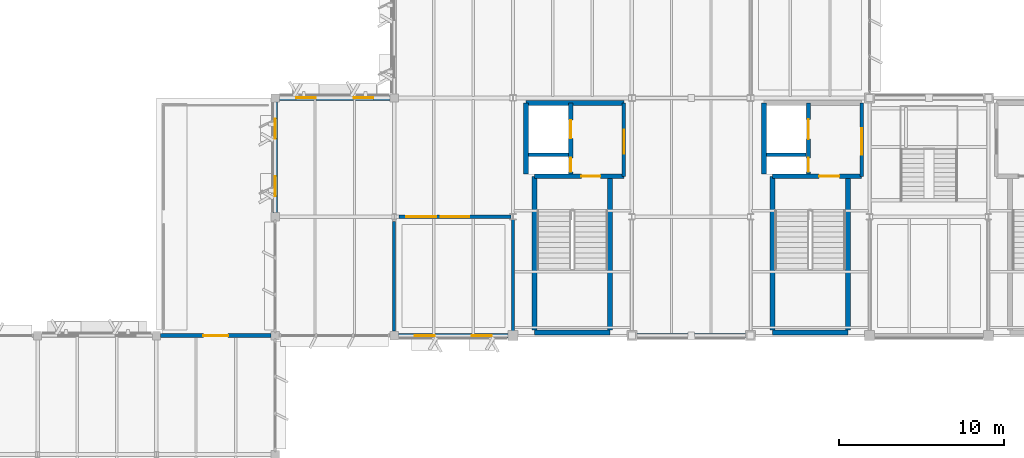
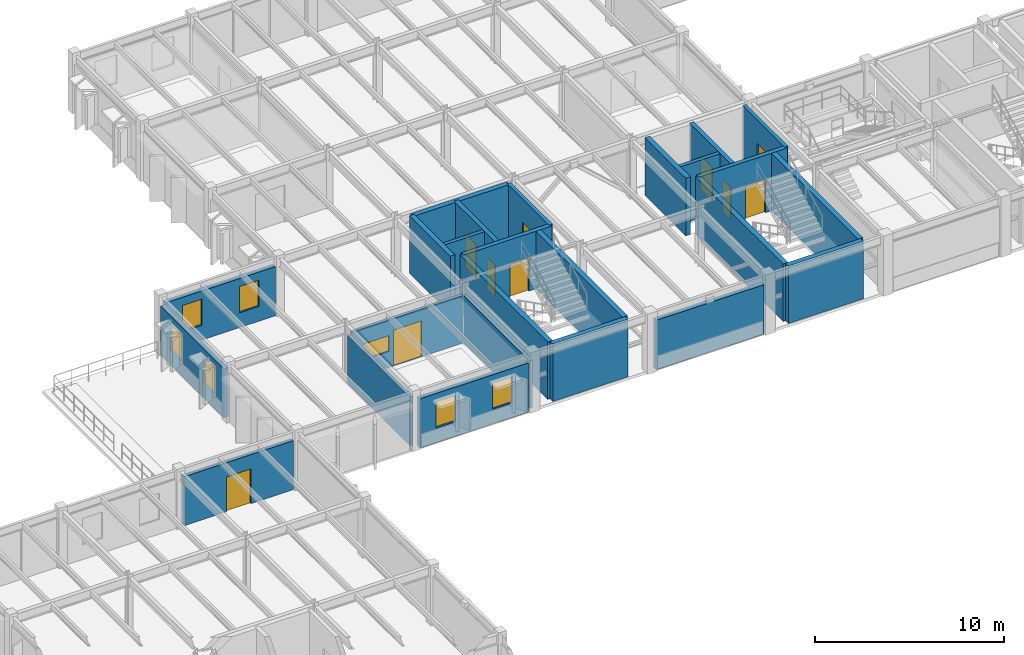
# One storey, part 13 of 35: 25 walls, 10 doors, 7 windows, 17 openings.
"""IFC4 building model written with IfcOpenShell, lengths in metres."""

import ifcopenshell
import ifcopenshell.guid

model = None  # the IFC model being written
_history = None  # IfcOwnerHistory: only IFC2X3 demands one
_inside = {}  # id of a spatial element -> (the spatial element, [elements in it])
_under = {}  # id of a project, library or spatial element -> (it, [spatial elements below it])
_declared = {}  # id of a project -> (the project, [libraries it declares])
_typed = {}  # id of a type object -> (the type object, [elements of that type])
_made_of = {}  # id of a material, layer set ... -> (it, [elements and type objects made of it])


def new_model(schema):
    """Start an empty IFC model of exactly this schema.

    Asked for "IFC4X3", IfcOpenShell would pick the latest addendum, in which some entities
    have other attributes; the version numbers below select the first issue.
    IFC2X3 requires an IfcOwnerHistory on every rooted entity: one is made here for all.
    """
    global model, _history
    if schema == "IFC4X3":
        model = ifcopenshell.file(schema_version=(4, 3, 0, 0))
    else:
        model = ifcopenshell.file(schema=schema)
    _inside.clear()
    _under.clear()
    _declared.clear()
    _typed.clear()
    _made_of.clear()
    _history = None
    if model.schema == "IFC2X3":
        org = make("IfcOrganization", Name="unknown")
        user = make(
            "IfcPersonAndOrganization",
            ThePerson=make("IfcPerson", FamilyName="unknown"),
            TheOrganization=org,
        )
        app = make(
            "IfcApplication",
            ApplicationDeveloper=org,
            Version="unknown",
            ApplicationFullName="unknown",
            ApplicationIdentifier="unknown",
        )
        _history = make(
            "IfcOwnerHistory",
            OwningUser=user,
            OwningApplication=app,
            ChangeAction="ADDED",
            CreationDate=0,
        )
    return model


def make(cls, **values):
    """One entity of the class cls with the attributes given. An attribute that is None is left unset."""
    return model.create_entity(
        cls, **{name: value for name, value in values.items() if value is not None}
    )


def rooted(cls, **values):
    """An entity with a GlobalId (a new one), such as an element, a storey or a relation."""
    return make(cls, GlobalId=ifcopenshell.guid.new(), OwnerHistory=_history, **values)


def si_unit(unit_type, name, prefix=None):
    """IfcSIUnit, for example si_unit("LENGTHUNIT", "METRE", prefix="MILLI")."""
    return make("IfcSIUnit", UnitType=unit_type, Prefix=prefix, Name=name)


def assignment(units):
    """IfcUnitAssignment: the units of a project."""
    return None if units is None else make("IfcUnitAssignment", Units=units)


def point(xyz):
    """IfcCartesianPoint."""
    return None if xyz is None else make("IfcCartesianPoint", Coordinates=xyz)


def direction(xyz):
    """IfcDirection."""
    return None if xyz is None else make("IfcDirection", DirectionRatios=xyz)


def frame(location, z_axis=None, x_axis=None):
    """IfcAxis2Placement3D, a coordinate frame: its origin and axes. An axis left out is left unset."""
    return make(
        "IfcAxis2Placement3D",
        Location=point(location),
        Axis=direction(z_axis),
        RefDirection=direction(x_axis),
    )


def frame_2d(location, x_axis=None):
    """IfcAxis2Placement2D, a coordinate frame in the plane: its origin and x axis."""
    return make(
        "IfcAxis2Placement2D", Location=point(location), RefDirection=direction(x_axis)
    )


def origin():
    """The frame at (0, 0, 0) with its axes left unset."""
    return frame((0.0, 0.0, 0.0))


def place(relative_to, where):
    """IfcLocalPlacement: puts the frame where relative to a parent placement (None: the world)."""
    return make(
        "IfcLocalPlacement", PlacementRelTo=relative_to, RelativePlacement=where
    )


def context(
    kind, dimensions, precision=None, world=None, true_north=None, identifier=None
):
    """IfcGeometricRepresentationContext, for example the 3D "Model" context."""
    return make(
        "IfcGeometricRepresentationContext",
        ContextIdentifier=identifier,
        ContextType=kind,
        CoordinateSpaceDimension=dimensions,
        Precision=precision,
        WorldCoordinateSystem=world,
        TrueNorth=true_north,
    )


def subcontext(parent, identifier, kind, view, scale=None):
    """IfcGeometricRepresentationSubContext, for example "Body" below "Model"."""
    return make(
        "IfcGeometricRepresentationSubContext",
        ContextIdentifier=identifier,
        ContextType=kind,
        ParentContext=parent,
        TargetScale=scale,
        TargetView=view,
    )


def project(units=None, contexts=None):
    """IfcProject with its units and contexts."""
    return rooted(
        "IfcProject",
        Name="project",
        RepresentationContexts=contexts,
        UnitsInContext=assignment(units),
    )


def spatial(cls, under=None, at=None, **own):
    """A site, building, storey or space (cls), placed at a placement, below another one or the project."""
    s = rooted(cls, ObjectPlacement=at, **own)
    if under is not None:
        _under.setdefault(under.id(), (under, []))[1].append(s)
    return s


def profile(cls, at=None, kind="AREA", **sizes):
    """A parametric profile (cls). Its sizes go by their IFC names, for example OverallWidth=200.0."""
    return make(cls, ProfileType=kind, Position=at, **sizes)


def rectangle(**sizes):
    """IfcRectangleProfileDef."""
    return profile("IfcRectangleProfileDef", **sizes)


def extrude(swept, where, along, depth):
    """IfcExtrudedAreaSolid: the profile swept, set in the frame where, extruded along a direction by depth."""
    return make(
        "IfcExtrudedAreaSolid",
        SweptArea=swept,
        Position=where,
        ExtrudedDirection=direction(along),
        Depth=depth,
    )


def shape(context_of_items, identifier, shape_type, items):
    """IfcShapeRepresentation: the items that make up one representation, for example the "Body"."""
    return make(
        "IfcShapeRepresentation",
        ContextOfItems=context_of_items,
        RepresentationIdentifier=identifier,
        RepresentationType=shape_type,
        Items=items,
    )


def material(Name=None, Category=None):
    """IfcMaterial."""
    return make("IfcMaterial", Name=Name, Category=Category)


def layer(
    of_material, thickness, ventilated=None, Name=None, Category=None, Priority=None
):
    """IfcMaterialLayer: one layer of a wall or slab, of a material (None: an air gap)."""
    return make(
        "IfcMaterialLayer",
        Material=of_material,
        LayerThickness=thickness,
        IsVentilated=ventilated,
        Name=Name,
        Category=Category,
        Priority=Priority,
    )


def layer_set(layers, Name=None):
    """IfcMaterialLayerSet."""
    return make("IfcMaterialLayerSet", MaterialLayers=layers, LayerSetName=Name)


def made_of(thing, what):
    """Note that an element or type object is made of a material, layer set ...; save() writes the relation."""
    if what is not None:
        _made_of.setdefault(what.id(), (what, []))[1].append(thing)
    return thing


def type_object(cls, material=None, **own):
    """A type object (cls), such as IfcWallType, which elements share."""
    return made_of(rooted(cls, **own), material)


def element(
    cls,
    number,
    at=None,
    inside=None,
    cuts=None,
    type_object=None,
    material=None,
    context=None,
    identifier="Body",
    shape_type=None,
    held_by="IfcProductDefinitionShape",
    body=None,
    shapes=None,
    **own,
):
    """One element of the class cls, such as IfcWall. Its Tag is "e" and its number.

    at: its placement. inside: the storey or other place that contains it. cuts: it is an
    opening in that element (IfcRelVoidsElement). A single representation is given by context,
    identifier, shape_type and body (its items); several are given by shapes. held_by: the class
    of the entity that holds the representations. save() writes the other relations.
    """
    e = rooted(cls, Tag="e%d" % number, ObjectPlacement=at, **own)
    if body is not None:
        shapes = [shape(context, identifier, shape_type, body)]
    if shapes is not None:
        e.Representation = make(held_by, Representations=shapes)
    if inside is not None:
        _inside.setdefault(inside.id(), (inside, []))[1].append(e)
    if cuts is not None:
        rooted(
            "IfcRelVoidsElement", RelatingBuildingElement=cuts, RelatedOpeningElement=e
        )
    if type_object is not None:
        _typed.setdefault(type_object.id(), (type_object, []))[1].append(e)
    return made_of(e, material)


def fill(opening, filler):
    """IfcRelFillsElement: the door or window that sits in an opening."""
    return rooted(
        "IfcRelFillsElement",
        RelatingOpeningElement=opening,
        RelatedBuildingElement=filler,
    )


def aggregate(whole, parts):
    """IfcRelAggregates: a whole, such as a stair, and the parts it consists of."""
    return rooted("IfcRelAggregates", RelatingObject=whole, RelatedObjects=parts)


def save(model, path):
    """Write the relations noted so far, then the file.

    IfcRelAggregates (storeys below a building ...), IfcRelContainedInSpatialStructure (elements
    in a storey), IfcRelDefinesByType, IfcRelAssociatesMaterial and IfcRelDeclares: one each for
    every whole, place, type object, material and project.
    """
    for whole, parts in _under.values():
        aggregate(whole, parts)
    for where, things in _inside.values():
        rooted(
            "IfcRelContainedInSpatialStructure",
            RelatedElements=things,
            RelatingStructure=where,
        )
    for kind, things in _typed.values():
        rooted("IfcRelDefinesByType", RelatedObjects=things, RelatingType=kind)
    for what, things in _made_of.values():
        rooted("IfcRelAssociatesMaterial", RelatedObjects=things, RelatingMaterial=what)
    for by, libraries in _declared.values():
        rooted("IfcRelDeclares", RelatingContext=by, RelatedDefinitions=libraries)
    model.write(path)


model = new_model("IFC4")

# Units and contexts
model_context = context("Model", 3, precision=1e-05, world=origin(), true_north=direction((0.0, 1.0)))
body_context = subcontext(model_context, "Body", "Model", "MODEL_VIEW")
ifc_project = project(units=[si_unit("LENGTHUNIT", "METRE"), si_unit("AREAUNIT", "SQUARE_METRE"), si_unit("VOLUMEUNIT", "CUBIC_METRE"), si_unit("PLANEANGLEUNIT", "RADIAN"), si_unit("MASSUNIT", "GRAM", prefix="KILO")], contexts=[model_context])

# Site, building, storey
site_placement = place(None, origin())
site = spatial("IfcSite", under=ifc_project, at=site_placement, CompositionType="ELEMENT")
building_placement = place(site_placement, origin())
building = spatial("IfcBuilding", under=site, at=building_placement, Name="Sillqori Civic Hall", CompositionType="ELEMENT")
storey_placement = place(building_placement, frame((0.0, 0.0, 18.0)))
storey = spatial("IfcBuildingStorey", under=building, at=storey_placement, Name="L05", CompositionType="ELEMENT", Elevation=18.0)

# Wall
ifc_material_1 = material(Name="Concrete C35/45 (H35)", Category="concrete")
ifc_layer_1 = layer(ifc_material_1, 0.219970703125)
ifc_layer_set_1 = layer_set([ifc_layer_1], Name="Concrete C35/45 (H35)")
wall_type_1 = type_object("IfcWallType", Name="CW-SHR-220", PredefinedType="SHEAR", material=ifc_layer_set_1)
wall_1_placement = place(storey_placement, frame((51.35009765625, 90.14990234375, 0.0), z_axis=(0.0, 0.0, 1.0), x_axis=(1.0, 0.0, 0.0)))
element("IfcWall", 1, at=wall_1_placement, inside=storey, type_object=wall_type_1, Name="L05 C5 Lift-riser divider wall", PredefinedType="SHEAR", context=body_context, shape_type="SweptSolid", body=[
    extrude(rectangle(XDim=2.39990234375, YDim=0.219970703125, at=frame_2d((1.199951171875, 0.0))), origin(), (0.0, 0.0, 1.0), 3.719970703125),
])

# Wall, opening, door
wall_2_placement = place(storey_placement, frame((57.1201171875, 93.300048828125, 0.0), z_axis=(0.0, 0.0, 1.0), x_axis=(0.0, -1.0, 0.0)))
wall_2 = element("IfcWall", 2, at=wall_2_placement, inside=storey, type_object=wall_type_1, Name="L05 C5 firefighting lobby enclosure wall", PredefinedType="SHEAR", context=body_context, shape_type="SweptSolid", body=[
    extrude(rectangle(XDim=4.449951171875, YDim=0.219970703125, at=frame_2d((2.22509765625, 0.0))), origin(), (0.0, 0.0, 1.0), 3.719970703125),
])
opening_1_placement = place(wall_2_placement, frame((1.625, 0.0, 0.0)))
opening_1 = element("IfcOpeningElement", 3, at=opening_1_placement, cuts=wall_2, Name="Opening FD-03", PredefinedType="OPENING", context=body_context, shape_type="SweptSolid", body=[
    extrude(rectangle(XDim=1.449951171875, YDim=2.199951171875, at=frame_2d((0.72509765625, 1.10009765625))), frame((0.0, 0.119873046875, 0.0), z_axis=(0.0, -1.0, 0.0), x_axis=(1.0, 0.0, 0.0)), (0.0, 0.0, 1.0), 0.239990234375),
])
ifc_material_2 = material(Name="Double-Leaf Smoke-Seal Lobby Door", Category="steel")
door_type_1 = type_object("IfcDoorType", Name="FDR-LOB-145X220", OperationType="NOTDEFINED", PredefinedType="DOOR", material=ifc_material_2)
door_1_placement = place(opening_1_placement, origin())
door_1 = element("IfcDoor", 4, at=door_1_placement, inside=storey, type_object=door_type_1, Name="L05 C5 firefighting lobby exit door", OperationType="DOUBLE_DOOR_SINGLE_SWING", OverallHeight=2.199951171875, OverallWidth=1.449951171875, PredefinedType="DOOR", context=body_context, shape_type="SweptSolid", body=[
    extrude(rectangle(XDim=1.449951171875, YDim=2.199951171875, at=frame_2d((0.72509765625, 1.10009765625))), frame((0.0, 0.02490234375, 0.0), z_axis=(0.0, -1.0, 0.0), x_axis=(1.0, 0.0, 0.0)), (0.0, 0.0, 1.0), 0.050048828125),
])
fill(opening_1, door_1)

# Wall
wall_3_placement = place(storey_placement, frame((65.75, 90.14990234375, 0.0), z_axis=(0.0, 0.0, 1.0), x_axis=(1.0, 0.0, 0.0)))
element("IfcWall", 5, at=wall_3_placement, inside=storey, type_object=wall_type_1, Name="L05 C6 Lift-riser divider wall", PredefinedType="SHEAR", context=body_context, shape_type="SweptSolid", body=[
    extrude(rectangle(XDim=2.39990234375, YDim=0.219970703125, at=frame_2d((1.199951171875, 0.0))), origin(), (0.0, 0.0, 1.0), 3.719970703125),
])

# Wall, opening, door
wall_4_placement = place(storey_placement, frame((71.52001953125, 93.300048828125, 0.0), z_axis=(0.0, 0.0, 1.0), x_axis=(0.0, -1.0, 0.0)))
wall_4 = element("IfcWall", 6, at=wall_4_placement, inside=storey, type_object=wall_type_1, Name="L05 C6 firefighting lobby enclosure wall", PredefinedType="SHEAR", context=body_context, shape_type="SweptSolid", body=[
    extrude(rectangle(XDim=4.449951171875, YDim=0.219970703125, at=frame_2d((2.22509765625, 0.0))), origin(), (0.0, 0.0, 1.0), 3.719970703125),
])
opening_2_placement = place(wall_4_placement, frame((1.550048828125, 0.0, 0.0)))
opening_2 = element("IfcOpeningElement", 7, at=opening_2_placement, cuts=wall_4, Name="Opening FD-04", PredefinedType="OPENING", context=body_context, shape_type="SweptSolid", body=[
    extrude(rectangle(XDim=1.60009765625, YDim=2.199951171875, at=frame_2d((0.800048828125, 1.10009765625))), frame((0.0, 0.119873046875, 0.0), z_axis=(0.0, -1.0, 0.0), x_axis=(1.0, 0.0, 0.0)), (0.0, 0.0, 1.0), 0.239990234375),
])
ifc_material_3 = material(Name="Double-Leaf Firefighting Lobby Door", Category="steel")
door_type_2 = type_object("IfcDoorType", Name="FDR-LOB-160X220", OperationType="NOTDEFINED", PredefinedType="DOOR", material=ifc_material_3)
door_2_placement = place(opening_2_placement, origin())
door_2 = element("IfcDoor", 8, at=door_2_placement, inside=storey, type_object=door_type_2, Name="L05 C6 firefighting lobby exit door", OperationType="DOUBLE_DOOR_SINGLE_SWING", OverallHeight=2.199951171875, OverallWidth=1.60009765625, PredefinedType="DOOR", context=body_context, shape_type="SweptSolid", body=[
    extrude(rectangle(XDim=1.60009765625, YDim=2.199951171875, at=frame_2d((0.800048828125, 1.10009765625))), frame((0.0, 0.02490234375, 0.0), z_axis=(0.0, -1.0, 0.0), x_axis=(1.0, 0.0, 0.0)), (0.0, 0.0, 1.0), 0.050048828125),
])
fill(opening_2, door_2)

ifc_layer_2 = layer(ifc_material_1, 0.260009765625)
ifc_layer_set_2 = layer_set([ifc_layer_2], Name="Concrete C35/45 (H35)")
wall_type_2 = type_object("IfcWallType", Name="CW-SHR-260", PredefinedType="SHEAR", material=ifc_layer_set_2)
wall_5_placement = place(storey_placement, frame((51.7099609375, 88.85009765625, 0.0), z_axis=(0.0, 0.0, 1.0), x_axis=(1.0, 0.0, 0.0)))
wall_5 = element("IfcWall", 9, at=wall_5_placement, inside=storey, type_object=wall_type_2, Name="L05 C5 Stair-lobby fire wall", PredefinedType="SHEAR", context=body_context, shape_type="SweptSolid", body=[
    extrude(rectangle(XDim=5.41015625, YDim=0.260009765625, at=frame_2d((2.705078125, 0.0))), origin(), (0.0, 0.0, 1.0), 3.719970703125),
])
opening_3_placement = place(wall_5_placement, frame((2.840087890625, 0.0, 0.0)))
opening_3 = element("IfcOpeningElement", 10, at=opening_3_placement, cuts=wall_5, Name="Opening FD-01", PredefinedType="OPENING", context=body_context, shape_type="SweptSolid", body=[
    extrude(rectangle(XDim=1.14990234375, YDim=2.14990234375, at=frame_2d((0.574951171875, 1.074951171875))), frame((0.0, 0.139892578125, 0.0), z_axis=(0.0, -1.0, 0.0), x_axis=(1.0, 0.0, 0.0)), (0.0, 0.0, 1.0), 0.280029296875),
])
ifc_material_4 = material(Name="Galvanized Steel Fire Door FD90S", Category="steel")
door_type_3 = type_object("IfcDoorType", Name="FDR-STR-115X215", OperationType="NOTDEFINED", PredefinedType="DOOR", material=ifc_material_4)
door_3_placement = place(opening_3_placement, origin())
door_3 = element("IfcDoor", 11, at=door_3_placement, inside=storey, type_object=door_type_3, Name="L05 stair ST-05 fire door", OperationType="SINGLE_SWING_RIGHT", OverallHeight=2.14990234375, OverallWidth=1.14990234375, PredefinedType="DOOR", context=body_context, shape_type="SweptSolid", body=[
    extrude(rectangle(XDim=1.14990234375, YDim=2.14990234375, at=frame_2d((0.574951171875, 1.074951171875))), frame((0.0, 0.02490234375, 0.0), z_axis=(0.0, -1.0, 0.0), x_axis=(1.0, 0.0, 0.0)), (0.0, 0.0, 1.0), 0.050048828125),
])
fill(opening_3, door_3)

# Wall, openings, doors
wall_6_placement = place(storey_placement, frame((53.89990234375, 93.300048828125, 0.0), z_axis=(0.0, 0.0, 1.0), x_axis=(0.0, -1.0, 0.0)))
wall_6 = element("IfcWall", 12, at=wall_6_placement, inside=storey, type_object=wall_type_2, Name="L05 C5 Lift landing & riser front wall", PredefinedType="SHEAR", context=body_context, shape_type="SweptSolid", body=[
    extrude(rectangle(XDim=4.320068359375, YDim=0.260009765625, at=frame_2d((2.16015625, 0.0))), origin(), (0.0, 0.0, 1.0), 3.719970703125),
])
opening_4_placement = place(wall_6_placement, frame((1.050048828125, 0.0, 0.0)))
opening_4 = element("IfcOpeningElement", 13, at=opening_4_placement, cuts=wall_6, Name="Opening LD-01", PredefinedType="OPENING", context=body_context, shape_type="SweptSolid", body=[
    extrude(rectangle(XDim=1.10009765625, YDim=2.14990234375, at=frame_2d((0.550048828125, 1.074951171875))), frame((0.0, 0.139892578125, 0.0), z_axis=(0.0, -1.0, 0.0), x_axis=(1.0, 0.0, 0.0)), (0.0, 0.0, 1.0), 0.280029296875),
])
opening_5_placement = place(wall_6_placement, frame((3.324951171875, 0.0, 0.0)))
opening_5 = element("IfcOpeningElement", 14, at=opening_5_placement, cuts=wall_6, Name="Opening FD-05", PredefinedType="OPENING", context=body_context, shape_type="SweptSolid", body=[
    extrude(rectangle(XDim=0.85009765625, YDim=2.050048828125, at=frame_2d((0.425048828125, 1.02490234375))), frame((0.0, 0.139892578125, 0.0), z_axis=(0.0, -1.0, 0.0), x_axis=(1.0, 0.0, 0.0)), (0.0, 0.0, 1.0), 0.280029296875),
])
ifc_material_5 = material(Name="Steel Riser Access Fire Door", Category="steel")
door_type_4 = type_object("IfcDoorType", Name="FDR-RSR-085X205", OperationType="NOTDEFINED", PredefinedType="DOOR", material=ifc_material_5)
door_4_placement = place(opening_5_placement, origin())
door_4 = element("IfcDoor", 15, at=door_4_placement, inside=storey, type_object=door_type_4, Name="L05 MEP riser C5 fire access door", OperationType="SINGLE_SWING_LEFT", OverallHeight=2.050048828125, OverallWidth=0.85009765625, PredefinedType="DOOR", context=body_context, shape_type="SweptSolid", body=[
    extrude(rectangle(XDim=0.85009765625, YDim=2.050048828125, at=frame_2d((0.425048828125, 1.02490234375))), frame((0.0, 0.02490234375, 0.0), z_axis=(0.0, -1.0, 0.0), x_axis=(1.0, 0.0, 0.0)), (0.0, 0.0, 1.0), 0.050048828125),
])
fill(opening_5, door_4)
ifc_material_6 = material(Name="Stainless Steel Lift Landing Door", Category="steel")
door_type_5 = type_object("IfcDoorType", Name="LDR-PASS-110X215", OperationType="NOTDEFINED", PredefinedType="DOOR", material=ifc_material_6)
door_5_placement = place(opening_4_placement, origin())
door_5 = element("IfcDoor", 16, at=door_5_placement, inside=storey, type_object=door_type_5, Name="L05 lift LF-03 sliding landing door", OperationType="DOUBLE_DOOR_SLIDING", OverallHeight=2.14990234375, OverallWidth=1.10009765625, PredefinedType="DOOR", context=body_context, shape_type="SweptSolid", body=[
    extrude(rectangle(XDim=1.10009765625, YDim=2.14990234375, at=frame_2d((0.550048828125, 1.074951171875))), frame((0.0, 0.02490234375, 0.0), z_axis=(0.0, -1.0, 0.0), x_axis=(1.0, 0.0, 0.0)), (0.0, 0.0, 1.0), 0.050048828125),
])
fill(opening_4, door_5)

# Wall, opening, door
wall_7_placement = place(storey_placement, frame((66.110107421875, 88.85009765625, 0.0), z_axis=(0.0, 0.0, 1.0), x_axis=(1.0, 0.0, 0.0)))
wall_7 = element("IfcWall", 17, at=wall_7_placement, inside=storey, type_object=wall_type_2, Name="L05 C6 Stair-lobby fire wall", PredefinedType="SHEAR", context=body_context, shape_type="SweptSolid", body=[
    extrude(rectangle(XDim=5.409912109375, YDim=0.260009765625, at=frame_2d((2.705078125, 0.0))), origin(), (0.0, 0.0, 1.0), 3.719970703125),
])
opening_6_placement = place(wall_7_placement, frame((2.840087890625, 0.0, 0.0)))
opening_6 = element("IfcOpeningElement", 18, at=opening_6_placement, cuts=wall_7, Name="Opening FD-02", PredefinedType="OPENING", context=body_context, shape_type="SweptSolid", body=[
    extrude(rectangle(XDim=1.219970703125, YDim=2.14990234375, at=frame_2d((0.60986328125, 1.074951171875))), frame((0.0, 0.139892578125, 0.0), z_axis=(0.0, -1.0, 0.0), x_axis=(1.0, 0.0, 0.0)), (0.0, 0.0, 1.0), 0.280029296875),
])
ifc_material_7 = material(Name="Galvanized Steel Fire Door FD120S", Category="steel")
door_type_6 = type_object("IfcDoorType", Name="FDR-STR-122X215", OperationType="NOTDEFINED", PredefinedType="DOOR", material=ifc_material_7)
door_6_placement = place(opening_6_placement, origin())
door_6 = element("IfcDoor", 19, at=door_6_placement, inside=storey, type_object=door_type_6, Name="L05 stair ST-06 fire door", OperationType="SINGLE_SWING_RIGHT", OverallHeight=2.14990234375, OverallWidth=1.219970703125, PredefinedType="DOOR", context=body_context, shape_type="SweptSolid", body=[
    extrude(rectangle(XDim=1.219970703125, YDim=2.14990234375, at=frame_2d((0.60986328125, 1.074951171875))), frame((0.0, 0.02490234375, 0.0), z_axis=(0.0, -1.0, 0.0), x_axis=(1.0, 0.0, 0.0)), (0.0, 0.0, 1.0), 0.050048828125),
])
fill(opening_6, door_6)

# Wall, openings, doors
wall_8_placement = place(storey_placement, frame((68.300048828125, 93.300048828125, 0.0), z_axis=(0.0, 0.0, 1.0), x_axis=(0.0, -1.0, 0.0)))
wall_8 = element("IfcWall", 20, at=wall_8_placement, inside=storey, type_object=wall_type_2, Name="L05 C6 Lift landing & riser front wall", PredefinedType="SHEAR", context=body_context, shape_type="SweptSolid", body=[
    extrude(rectangle(XDim=4.320068359375, YDim=0.260009765625, at=frame_2d((2.16015625, 0.0))), origin(), (0.0, 0.0, 1.0), 3.719970703125),
])
opening_7_placement = place(wall_8_placement, frame((1.0, 0.0, 0.0)))
opening_7 = element("IfcOpeningElement", 21, at=opening_7_placement, cuts=wall_8, Name="Opening LD-02", PredefinedType="OPENING", context=body_context, shape_type="SweptSolid", body=[
    extrude(rectangle(XDim=1.199951171875, YDim=2.14990234375, at=frame_2d((0.60009765625, 1.074951171875))), frame((0.0, 0.139892578125, 0.0), z_axis=(0.0, -1.0, 0.0), x_axis=(1.0, 0.0, 0.0)), (0.0, 0.0, 1.0), 0.280029296875),
])
opening_8_placement = place(wall_8_placement, frame((3.324951171875, 0.0, 0.0)))
opening_8 = element("IfcOpeningElement", 22, at=opening_8_placement, cuts=wall_8, Name="Opening FD-05", PredefinedType="OPENING", context=body_context, shape_type="SweptSolid", body=[
    extrude(rectangle(XDim=0.85009765625, YDim=2.050048828125, at=frame_2d((0.425048828125, 1.02490234375))), frame((0.0, 0.139892578125, 0.0), z_axis=(0.0, -1.0, 0.0), x_axis=(1.0, 0.0, 0.0)), (0.0, 0.0, 1.0), 0.280029296875),
])
door_7_placement = place(opening_8_placement, origin())
door_7 = element("IfcDoor", 23, at=door_7_placement, inside=storey, type_object=door_type_4, Name="L05 MEP riser C6 fire access door", OperationType="SINGLE_SWING_LEFT", OverallHeight=2.050048828125, OverallWidth=0.85009765625, PredefinedType="DOOR", context=body_context, shape_type="SweptSolid", body=[
    extrude(rectangle(XDim=0.85009765625, YDim=2.050048828125, at=frame_2d((0.425048828125, 1.02490234375))), frame((0.0, 0.02490234375, 0.0), z_axis=(0.0, -1.0, 0.0), x_axis=(1.0, 0.0, 0.0)), (0.0, 0.0, 1.0), 0.050048828125),
])
fill(opening_8, door_7)
ifc_material_8 = material(Name="Firefighting Lift Landing Door", Category="steel")
door_type_7 = type_object("IfcDoorType", Name="LDR-FIRE-120X215", OperationType="NOTDEFINED", PredefinedType="DOOR", material=ifc_material_8)
door_8_placement = place(opening_7_placement, origin())
door_8 = element("IfcDoor", 24, at=door_8_placement, inside=storey, type_object=door_type_7, Name="L05 lift LF-01 sliding landing door", OperationType="DOUBLE_DOOR_SLIDING", OverallHeight=2.14990234375, OverallWidth=1.199951171875, PredefinedType="DOOR", context=body_context, shape_type="SweptSolid", body=[
    extrude(rectangle(XDim=1.199951171875, YDim=2.14990234375, at=frame_2d((0.60009765625, 1.074951171875))), frame((0.0, 0.02490234375, 0.0), z_axis=(0.0, -1.0, 0.0), x_axis=(1.0, 0.0, 0.0)), (0.0, 0.0, 1.0), 0.050048828125),
])
fill(opening_7, door_8)

# Walls
ifc_layer_3 = layer(ifc_material_1, 0.300048828125)
ifc_layer_set_3 = layer_set([ifc_layer_3], Name="Concrete C35/45 (H35)")
wall_type_3 = type_object("IfcWallType", Name="CW-SHR-300", PredefinedType="SHEAR", material=ifc_layer_set_3)
wall_9_placement = place(storey_placement, frame((51.7099609375, 79.39990234375, 0.0), z_axis=(0.0, 0.0, 1.0), x_axis=(1.0, 0.0, 0.0)))
element("IfcWall", 25, at=wall_9_placement, inside=storey, type_object=wall_type_3, Name="L05 C5 Stair south shear wall", PredefinedType="SHEAR", context=body_context, shape_type="SweptSolid", body=[
    extrude(rectangle(XDim=4.580078125, YDim=0.300048828125, at=frame_2d((2.2900390625, 0.0))), origin(), (0.0, 0.0, 1.0), 3.719970703125),
])
for number, where, z_axis, x_axis, name in (
    (26, (51.7099609375, 79.550048828125, 0.0), (0.0, 0.0, 1.0), (0.0, 1.0, 0.0), "L05 C5 Stair west shear wall"),
    (27, (56.2900390625, 79.550048828125, 0.0), (0.0, 0.0, 1.0), (0.0, 1.0, 0.0), "L05 C5 Stair east shear wall"),
):
    element("IfcWall", number, at=place(storey_placement, frame(where, z_axis=z_axis, x_axis=x_axis)), inside=storey, type_object=wall_type_3, Name=name, PredefinedType="SHEAR", context=body_context, shape_type="SweptSolid", body=[
        extrude(rectangle(XDim=9.300048828125, YDim=0.300048828125, at=frame_2d((4.64990234375, 0.0))), origin(), (0.0, 0.0, 1.0), 3.719970703125),
    ])
wall_10_placement = place(storey_placement, frame((51.199951171875, 88.97998046875, 0.0), z_axis=(0.0, 0.0, 1.0), x_axis=(0.0, 1.0, 0.0)))
element("IfcWall", 28, at=wall_10_placement, inside=storey, type_object=wall_type_3, Name="L05 C5 Lift shaft west shear wall", PredefinedType="SHEAR", context=body_context, shape_type="SweptSolid", body=[
    extrude(rectangle(XDim=4.320068359375, YDim=0.300048828125, at=frame_2d((2.16015625, 0.0))), origin(), (0.0, 0.0, 1.0), 3.719970703125),
])
wall_11_placement = place(storey_placement, frame((51.199951171875, 93.300048828125, 0.0), z_axis=(0.0, 0.0, 1.0), x_axis=(1.0, 0.0, 0.0)))
element("IfcWall", 29, at=wall_11_placement, inside=storey, type_object=wall_type_3, Name="L05 C5 Core north shear wall", PredefinedType="SHEAR", context=body_context, shape_type="SweptSolid", body=[
    extrude(rectangle(XDim=5.920166015625, YDim=0.300048828125, at=frame_2d((2.9599609375, 0.0))), origin(), (0.0, 0.0, 1.0), 3.719970703125),
])
wall_12_placement = place(storey_placement, frame((66.110107421875, 79.39990234375, 0.0), z_axis=(0.0, 0.0, 1.0), x_axis=(1.0, 0.0, 0.0)))
element("IfcWall", 30, at=wall_12_placement, inside=storey, type_object=wall_type_3, Name="L05 C6 Stair south shear wall", PredefinedType="SHEAR", context=body_context, shape_type="SweptSolid", body=[
    extrude(rectangle(XDim=4.579833984375, YDim=0.300048828125, at=frame_2d((2.2900390625, 0.0))), origin(), (0.0, 0.0, 1.0), 3.719970703125),
])
for number, where, z_axis, x_axis, name in (
    (31, (66.110107421875, 79.550048828125, 0.0), (0.0, 0.0, 1.0), (0.0, 1.0, 0.0), "L05 C6 Stair west shear wall"),
    (32, (70.68994140625, 79.550048828125, 0.0), (0.0, 0.0, 1.0), (0.0, 1.0, 0.0), "L05 C6 Stair east shear wall"),
):
    element("IfcWall", number, at=place(storey_placement, frame(where, z_axis=z_axis, x_axis=x_axis)), inside=storey, type_object=wall_type_3, Name=name, PredefinedType="SHEAR", context=body_context, shape_type="SweptSolid", body=[
        extrude(rectangle(XDim=9.300048828125, YDim=0.300048828125, at=frame_2d((4.64990234375, 0.0))), origin(), (0.0, 0.0, 1.0), 3.719970703125),
    ])
wall_13_placement = place(storey_placement, frame((65.60009765625, 88.97998046875, 0.0), z_axis=(0.0, 0.0, 1.0), x_axis=(0.0, 1.0, 0.0)))
element("IfcWall", 33, at=wall_13_placement, inside=storey, type_object=wall_type_3, Name="L05 C6 Lift shaft west shear wall", PredefinedType="SHEAR", context=body_context, shape_type="SweptSolid", body=[
    extrude(rectangle(XDim=4.320068359375, YDim=0.300048828125, at=frame_2d((2.16015625, 0.0))), origin(), (0.0, 0.0, 1.0), 3.719970703125),
])

# Wall, openings, windows
ifc_material_9 = material(Name="Precast concrete C40/50 (H40)", Category="concrete")
ifc_layer_4 = layer(ifc_material_9, 0.280029296875)
ifc_layer_set_4 = layer_set([ifc_layer_4], Name="Precast concrete C40/50 (H40)")
wall_type_4 = type_object("IfcWallType", Name="EW-LIME-280", PredefinedType="SOLIDWALL", material=ifc_layer_set_4)
wall_14_placement = place(storey_placement, frame((36.25, 93.60009765625, 0.0), z_axis=(0.0, 0.0, 1.0), x_axis=(1.0, 0.0, 0.0)))
wall_14 = element("IfcWall", 34, at=wall_14_placement, inside=storey, type_object=wall_type_4, Name="L05 V4 exterior wall L05-05-12-N", PredefinedType="SOLIDWALL", context=body_context, shape_type="SweptSolid", body=[
    extrude(rectangle(XDim=6.699951171875, YDim=0.280029296875, at=frame_2d((3.35009765625, 0.0))), origin(), (0.0, 0.0, 1.0), 3.172119140625),
])
opening_9_placement = place(wall_14_placement, frame((1.008056640625, 0.0, 0.949951171875)))
opening_9 = element("IfcOpeningElement", 35, at=opening_9_placement, cuts=wall_14, Name="Opening W-22", PredefinedType="OPENING", context=body_context, shape_type="SweptSolid", body=[
    extrude(rectangle(XDim=1.199951171875, YDim=1.699951171875, at=frame_2d((0.60009765625, 0.85009765625))), frame((0.0, 0.14990234375, 0.0), z_axis=(0.0, -1.0, 0.0), x_axis=(1.0, 0.0, 0.0)), (0.0, 0.0, 1.0), 0.300048828125),
])
opening_10_placement = place(wall_14_placement, frame((4.491943359375, 0.0, 0.949951171875)))
opening_10 = element("IfcOpeningElement", 36, at=opening_10_placement, cuts=wall_14, Name="Opening W-22", PredefinedType="OPENING", context=body_context, shape_type="SweptSolid", body=[
    extrude(rectangle(XDim=1.199951171875, YDim=1.699951171875, at=frame_2d((0.60009765625, 0.85009765625))), frame((0.0, 0.14990234375, 0.0), z_axis=(0.0, -1.0, 0.0), x_axis=(1.0, 0.0, 0.0)), (0.0, 0.0, 1.0), 0.300048828125),
])
ifc_material_10 = material(Name="Thermally Broken Aluminium Low-E Window", Category="aluminium")
window_type_1 = type_object("IfcWindowType", Name="WIN-V5-120X170", PartitioningType="SINGLE_PANEL", PredefinedType="WINDOW", material=ifc_material_10)
window_1_placement = place(opening_9_placement, origin())
window_1 = element("IfcWindow", 37, at=window_1_placement, inside=storey, type_object=window_type_1, Name="L05 V4 window L05-05-12-N.1", OverallHeight=1.699951171875, OverallWidth=1.199951171875, PartitioningType="SINGLE_PANEL", PredefinedType="WINDOW", context=body_context, shape_type="SweptSolid", body=[
    extrude(rectangle(XDim=1.199951171875, YDim=1.699951171875, at=frame_2d((0.60009765625, 0.85009765625))), frame((0.0, 0.030029296875, 0.0), z_axis=(0.0, -1.0, 0.0), x_axis=(1.0, 0.0, 0.0)), (0.0, 0.0, 1.0), 0.06005859375),
])
fill(opening_9, window_1)
window_2_placement = place(opening_10_placement, origin())
window_2 = element("IfcWindow", 38, at=window_2_placement, inside=storey, type_object=window_type_1, Name="L05 V4 window L05-05-12-N.2", OverallHeight=1.699951171875, OverallWidth=1.199951171875, PartitioningType="SINGLE_PANEL", PredefinedType="WINDOW", context=body_context, shape_type="SweptSolid", body=[
    extrude(rectangle(XDim=1.199951171875, YDim=1.699951171875, at=frame_2d((0.60009765625, 0.85009765625))), frame((0.0, 0.030029296875, 0.0), z_axis=(0.0, -1.0, 0.0), x_axis=(1.0, 0.0, 0.0)), (0.0, 0.0, 1.0), 0.06005859375),
])
fill(opening_10, window_2)

wall_15_placement = place(storey_placement, frame((36.0, 86.64990234375, 0.0), z_axis=(0.0, 0.0, 1.0), x_axis=(0.0, 1.0, 0.0)))
wall_15 = element("IfcWall", 39, at=wall_15_placement, inside=storey, type_object=wall_type_4, Name="L05 V4 exterior wall L05-05-12-W", PredefinedType="SOLIDWALL", context=body_context, shape_type="SweptSolid", body=[
    extrude(rectangle(XDim=6.7001953125, YDim=0.280029296875, at=frame_2d((3.35009765625, 0.0))), origin(), (0.0, 0.0, 1.0), 3.172119140625),
])
opening_11_placement = place(wall_15_placement, frame((1.008056640625, 0.0, 0.949951171875)))
opening_11 = element("IfcOpeningElement", 40, at=opening_11_placement, cuts=wall_15, Name="Opening W-22", PredefinedType="OPENING", context=body_context, shape_type="SweptSolid", body=[
    extrude(rectangle(XDim=1.199951171875, YDim=1.699951171875, at=frame_2d((0.60009765625, 0.85009765625))), frame((0.0, 0.14990234375, 0.0), z_axis=(0.0, -1.0, 0.0), x_axis=(1.0, 0.0, 0.0)), (0.0, 0.0, 1.0), 0.300048828125),
])
opening_12_placement = place(wall_15_placement, frame((4.491943359375, 0.0, 0.949951171875)))
opening_12 = element("IfcOpeningElement", 41, at=opening_12_placement, cuts=wall_15, Name="Opening W-22", PredefinedType="OPENING", context=body_context, shape_type="SweptSolid", body=[
    extrude(rectangle(XDim=1.199951171875, YDim=1.699951171875, at=frame_2d((0.60009765625, 0.85009765625))), frame((0.0, 0.14990234375, 0.0), z_axis=(0.0, -1.0, 0.0), x_axis=(1.0, 0.0, 0.0)), (0.0, 0.0, 1.0), 0.300048828125),
])
window_3_placement = place(opening_11_placement, origin())
window_3 = element("IfcWindow", 42, at=window_3_placement, inside=storey, type_object=window_type_1, Name="L05 V4 window L05-05-12-W.1", OverallHeight=1.699951171875, OverallWidth=1.199951171875, PartitioningType="SINGLE_PANEL", PredefinedType="WINDOW", context=body_context, shape_type="SweptSolid", body=[
    extrude(rectangle(XDim=1.199951171875, YDim=1.699951171875, at=frame_2d((0.60009765625, 0.85009765625))), frame((0.0, 0.030029296875, 0.0), z_axis=(0.0, -1.0, 0.0), x_axis=(1.0, 0.0, 0.0)), (0.0, 0.0, 1.0), 0.06005859375),
])
fill(opening_11, window_3)
window_4_placement = place(opening_12_placement, origin())
window_4 = element("IfcWindow", 43, at=window_4_placement, inside=storey, type_object=window_type_1, Name="L05 V4 window L05-05-12-W.2", OverallHeight=1.699951171875, OverallWidth=1.199951171875, PartitioningType="SINGLE_PANEL", PredefinedType="WINDOW", context=body_context, shape_type="SweptSolid", body=[
    extrude(rectangle(XDim=1.199951171875, YDim=1.699951171875, at=frame_2d((0.60009765625, 0.85009765625))), frame((0.0, 0.030029296875, 0.0), z_axis=(0.0, -1.0, 0.0), x_axis=(1.0, 0.0, 0.0)), (0.0, 0.0, 1.0), 0.06005859375),
])
fill(opening_12, window_4)

wall_16_placement = place(storey_placement, frame((50.10009765625, 79.199951171875, 0.0), z_axis=(0.0, 0.0, 1.0), x_axis=(-1.0, 0.0, 0.0)))
wall_16 = element("IfcWall", 44, at=wall_16_placement, inside=storey, type_object=wall_type_4, Name="L05 V4 exterior wall L05-06-11-S", PredefinedType="SOLIDWALL", context=body_context, shape_type="SweptSolid", body=[
    extrude(rectangle(XDim=6.650146484375, YDim=0.280029296875, at=frame_2d((3.3251953125, 0.0))), origin(), (0.0, 0.0, 1.0), 3.172119140625),
])
opening_13_placement = place(wall_16_placement, frame((0.99609375, 0.0, 0.949951171875)))
opening_13 = element("IfcOpeningElement", 45, at=opening_13_placement, cuts=wall_16, Name="Opening W-22", PredefinedType="OPENING", context=body_context, shape_type="SweptSolid", body=[
    extrude(rectangle(XDim=1.199951171875, YDim=1.699951171875, at=frame_2d((0.60009765625, 0.85009765625))), frame((0.0, 0.14990234375, 0.0), z_axis=(0.0, -1.0, 0.0), x_axis=(1.0, 0.0, 0.0)), (0.0, 0.0, 1.0), 0.300048828125),
])
opening_14_placement = place(wall_16_placement, frame((4.4541015625, 0.0, 0.949951171875)))
opening_14 = element("IfcOpeningElement", 46, at=opening_14_placement, cuts=wall_16, Name="Opening W-22", PredefinedType="OPENING", context=body_context, shape_type="SweptSolid", body=[
    extrude(rectangle(XDim=1.199951171875, YDim=1.699951171875, at=frame_2d((0.60009765625, 0.85009765625))), frame((0.0, 0.14990234375, 0.0), z_axis=(0.0, -1.0, 0.0), x_axis=(1.0, 0.0, 0.0)), (0.0, 0.0, 1.0), 0.300048828125),
])
window_5_placement = place(opening_13_placement, origin())
window_5 = element("IfcWindow", 47, at=window_5_placement, inside=storey, type_object=window_type_1, Name="L05 V4 window L05-06-11-S.1", OverallHeight=1.699951171875, OverallWidth=1.199951171875, PartitioningType="SINGLE_PANEL", PredefinedType="WINDOW", context=body_context, shape_type="SweptSolid", body=[
    extrude(rectangle(XDim=1.199951171875, YDim=1.699951171875, at=frame_2d((0.60009765625, 0.85009765625))), frame((0.0, 0.030029296875, 0.0), z_axis=(0.0, -1.0, 0.0), x_axis=(1.0, 0.0, 0.0)), (0.0, 0.0, 1.0), 0.06005859375),
])
fill(opening_13, window_5)
window_6_placement = place(opening_14_placement, origin())
window_6 = element("IfcWindow", 48, at=window_6_placement, inside=storey, type_object=window_type_1, Name="L05 V4 window L05-06-11-S.2", OverallHeight=1.699951171875, OverallWidth=1.199951171875, PartitioningType="SINGLE_PANEL", PredefinedType="WINDOW", context=body_context, shape_type="SweptSolid", body=[
    extrude(rectangle(XDim=1.199951171875, YDim=1.699951171875, at=frame_2d((0.60009765625, 0.85009765625))), frame((0.0, 0.030029296875, 0.0), z_axis=(0.0, -1.0, 0.0), x_axis=(1.0, 0.0, 0.0)), (0.0, 0.0, 1.0), 0.06005859375),
])
fill(opening_14, window_6)

# Wall
wall_17_placement = place(storey_placement, frame((64.5, 79.199951171875, 0.0), z_axis=(0.0, 0.0, 1.0), x_axis=(-1.0, 0.0, 0.0)))
element("IfcWall", 49, at=wall_17_placement, inside=storey, type_object=wall_type_4, Name="L05 V4 exterior wall L05-08-11-S", PredefinedType="SOLIDWALL", context=body_context, shape_type="SweptSolid", body=[
    extrude(rectangle(XDim=6.60009765625, YDim=0.280029296875, at=frame_2d((3.300048828125, 0.0))), origin(), (0.0, 0.0, 1.0), 3.19189453125),
])

# Wall, opening, door
ifc_material_11 = material(Name="Concrete C30/37 (H30)", Category="concrete")
ifc_layer_5 = layer(ifc_material_11, 0.239990234375)
ifc_layer_set_5 = layer_set([ifc_layer_5], Name="Concrete C30/37 (H30)")
wall_type_5 = type_object("IfcWallType", Name="EW-MAS-240", PredefinedType="SOLIDWALL", material=ifc_layer_set_5)
wall_18_placement = place(storey_placement, frame((29.050048828125, 79.199951171875, 0.0), z_axis=(0.0, 0.0, 1.0), x_axis=(1.0, 0.0, 0.0)))
wall_18 = element("IfcWall", 50, at=wall_18_placement, inside=storey, type_object=wall_type_5, Name="L05 V5 exterior wall L05-04-10-N", PredefinedType="SOLIDWALL", context=body_context, shape_type="SweptSolid", body=[
    extrude(rectangle(XDim=6.699951171875, YDim=0.239990234375, at=frame_2d((3.35009765625, 0.0))), origin(), (0.0, 0.0, 1.0), 3.172119140625),
])
opening_15_placement = place(wall_18_placement, frame((2.60009765625, 0.0, 0.0)))
opening_15 = element("IfcOpeningElement", 51, at=opening_15_placement, cuts=wall_18, Name="Opening ED-06", PredefinedType="OPENING", context=body_context, shape_type="SweptSolid", body=[
    extrude(rectangle(XDim=1.5, YDim=2.25, at=frame_2d((0.75, 1.125))), frame((0.0, 0.1298828125, 0.0), z_axis=(0.0, -1.0, 0.0), x_axis=(1.0, 0.0, 0.0)), (0.0, 0.0, 1.0), 0.260009765625),
])
ifc_material_12 = material(Name="Thermally Broken Anodized Aluminium and Laminated Glass", Category="aluminium")
door_type_8 = type_object("IfcDoorType", Name="EDR-TERR-150X225", OperationType="NOTDEFINED", PredefinedType="DOOR", material=ifc_material_12)
door_9_placement = place(opening_15_placement, origin())
door_9 = element("IfcDoor", 52, at=door_9_placement, inside=storey, type_object=door_type_8, Name="Engineering West Roof Garden Access Door", OperationType="DOUBLE_DOOR_SINGLE_SWING", OverallHeight=2.25, OverallWidth=1.5, PredefinedType="DOOR", context=body_context, shape_type="SweptSolid", body=[
    extrude(rectangle(XDim=1.5, YDim=2.25, at=frame_2d((0.75, 1.125))), frame((0.0, 0.02490234375, 0.0), z_axis=(0.0, -1.0, 0.0), x_axis=(1.0, 0.0, 0.0)), (0.0, 0.0, 1.0), 0.050048828125),
])
fill(opening_15, door_9)

# Wall, openings, door, window
ifc_material_13 = material(Name="Concrete C25/30 (H25)", Category="concrete")
ifc_layer_6 = layer(ifc_material_13, 0.18994140625)
ifc_layer_set_6 = layer_set([ifc_layer_6], Name="Concrete C25/30 (H25)")
wall_type_6 = type_object("IfcWallType", Name="PT-MAS-190", PredefinedType="PARTITIONING", material=ifc_layer_set_6)
wall_19_placement = place(storey_placement, frame((43.47998046875, 86.39990234375, 0.0), z_axis=(0.0, 0.0, 1.0), x_axis=(1.0, 0.0, 0.0)))
wall_19 = element("IfcWall", 53, at=wall_19_placement, inside=storey, type_object=wall_type_6, Name="Municipal Legal Secretariat Directorate partition N1", PredefinedType="PARTITIONING", context=body_context, shape_type="SweptSolid", body=[
    extrude(rectangle(XDim=6.800048828125, YDim=0.18994140625, at=frame_2d((3.39990234375, 0.0))), origin(), (0.0, 0.0, 1.0), 3.087890625),
])
opening_16_placement = place(wall_19_placement, frame((2.5400390625, 0.0, 0.0)))
opening_16 = element("IfcOpeningElement", 54, at=opening_16_placement, cuts=wall_19, Name="Opening ID-39", PredefinedType="OPENING", context=body_context, shape_type="SweptSolid", body=[
    extrude(rectangle(XDim=1.719970703125, YDim=2.320068359375, at=frame_2d((0.85986328125, 1.16015625))), frame((0.0, 0.10498046875, 0.0), z_axis=(0.0, -1.0, 0.0), x_axis=(1.0, 0.0, 0.0)), (0.0, 0.0, 1.0), 0.2099609375),
])
opening_17_placement = place(wall_19_placement, frame((0.449951171875, 0.0, 1.050048828125)))
opening_17 = element("IfcOpeningElement", 55, at=opening_17_placement, cuts=wall_19, Name="Opening IW-32", PredefinedType="OPENING", context=body_context, shape_type="SweptSolid", body=[
    extrude(rectangle(XDim=1.820068359375, YDim=1.02001953125, at=frame_2d((0.91015625, 0.510009765625))), frame((0.0, 0.10498046875, 0.0), z_axis=(0.0, -1.0, 0.0), x_axis=(1.0, 0.0, 0.0)), (0.0, 0.0, 1.0), 0.2099609375),
])
ifc_material_14 = material(Name="Tribunal Double Door 1720", Category="timber")
door_type_9 = type_object("IfcDoorType", Name="IDR-DIR-172X232", OperationType="NOTDEFINED", PredefinedType="DOOR", material=ifc_material_14)
door_10_placement = place(opening_16_placement, origin())
door_10 = element("IfcDoor", 56, at=door_10_placement, inside=storey, type_object=door_type_9, Name="Municipal Legal Secretariat Directorate entrance door", OperationType="DOUBLE_DOOR_SINGLE_SWING", OverallHeight=2.320068359375, OverallWidth=1.719970703125, PredefinedType="DOOR", context=body_context, shape_type="SweptSolid", body=[
    extrude(rectangle(XDim=1.719970703125, YDim=2.320068359375, at=frame_2d((0.85986328125, 1.16015625))), frame((0.0, 0.02490234375, 0.0), z_axis=(0.0, -1.0, 0.0), x_axis=(1.0, 0.0, 0.0)), (0.0, 0.0, 1.0), 0.050048828125),
])
fill(opening_16, door_10)
ifc_material_15 = material(Name="Acoustic Laminated Interior Clerestory Glazing", Category="glass")
window_type_2 = type_object("IfcWindowType", Name="IWN-GAL-182X102", PartitioningType="SINGLE_PANEL", PredefinedType="WINDOW", material=ifc_material_15)
window_7_placement = place(opening_17_placement, origin())
window_7 = element("IfcWindow", 57, at=window_7_placement, inside=storey, type_object=window_type_2, Name="Municipal Legal Secretariat Directorate borrowed-light screen", OverallHeight=1.02001953125, OverallWidth=1.820068359375, PartitioningType="SINGLE_PANEL", PredefinedType="WINDOW", context=body_context, shape_type="SweptSolid", body=[
    extrude(rectangle(XDim=1.820068359375, YDim=1.02001953125, at=frame_2d((0.91015625, 0.510009765625))), frame((0.0, 0.030029296875, 0.0), z_axis=(0.0, -1.0, 0.0), x_axis=(1.0, 0.0, 0.0)), (0.0, 0.0, 1.0), 0.06005859375),
])
fill(opening_17, window_7)

# Walls
wall_20_placement = place(storey_placement, frame((43.199951171875, 79.47998046875, 0.0), z_axis=(0.0, 0.0, 1.0), x_axis=(0.0, 1.0, 0.0)))
element("IfcWall", 58, at=wall_20_placement, inside=storey, type_object=wall_type_6, Name="Municipal Legal Secretariat Directorate partition W2", PredefinedType="PARTITIONING", context=body_context, shape_type="SweptSolid", body=[
    extrude(rectangle(XDim=6.64013671875, YDim=0.18994140625, at=frame_2d((3.320068359375, 0.0))), origin(), (0.0, 0.0, 1.0), 3.156982421875),
])
wall_21_placement = place(storey_placement, frame((50.39990234375, 86.280029296875, 0.0), z_axis=(0.0, 0.0, 1.0), x_axis=(0.0, -1.0, 0.0)))
element("IfcWall", 59, at=wall_21_placement, inside=storey, type_object=wall_type_6, Name="Municipal Legal Secretariat Directorate partition E3", PredefinedType="PARTITIONING", context=body_context, shape_type="SweptSolid", body=[
    extrude(rectangle(XDim=6.9599609375, YDim=0.18994140625, at=frame_2d((3.47998046875, 0.0))), origin(), (0.0, 0.0, 1.0), 3.087890625),
])

save(model, "model.ifc")
